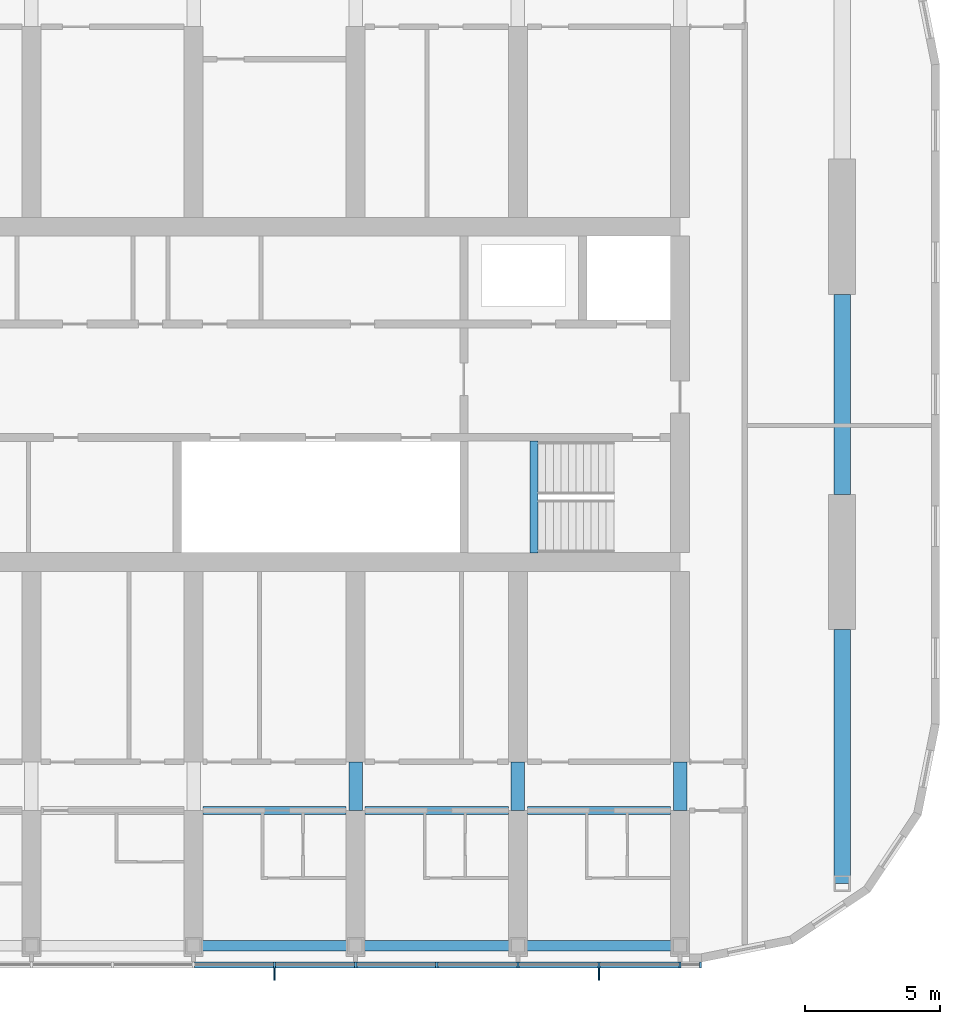
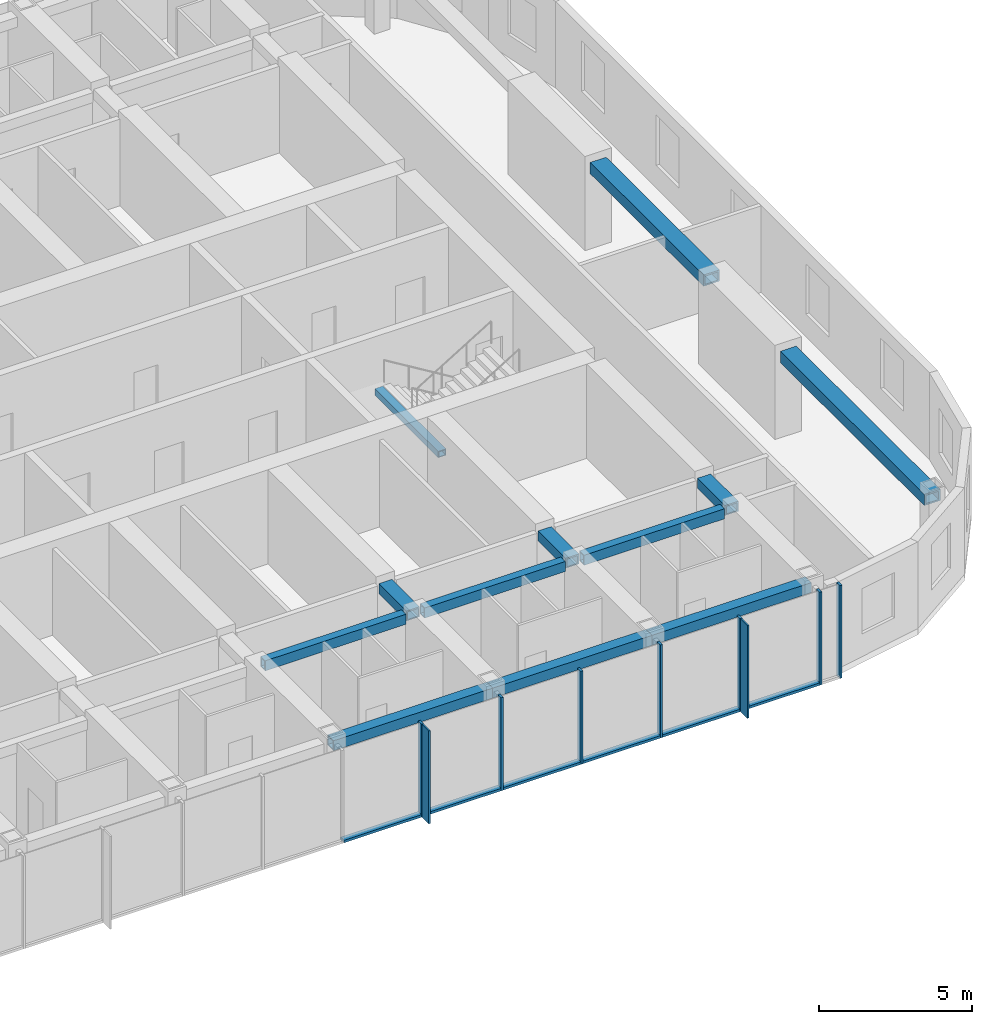
# One storey, part 3 of 23: 15 members, 12 beams, 1 element without a shape of its own.
"""IFC4 building model written with IfcOpenShell, lengths in metres."""

from ifc_helpers import new_model, si_unit, direction, frame, origin, origin_2d, place, context, subcontext, project, spatial, rectangle, hollow_rectangle, extrude, material, material_profile, profile_set, type_object, element, aggregate, save


model = new_model("IFC4")

# Units and contexts
model_context = context("Model", 3, precision=1e-05, world=origin(), true_north=direction((0.0, 1.0)))
body_context = subcontext(model_context, "Body", "Model", "MODEL_VIEW")
ifc_project = project(units=[si_unit("LENGTHUNIT", "METRE"), si_unit("AREAUNIT", "SQUARE_METRE"), si_unit("VOLUMEUNIT", "CUBIC_METRE"), si_unit("PLANEANGLEUNIT", "RADIAN"), si_unit("MASSUNIT", "GRAM", prefix="KILO")], contexts=[model_context])

# Site, building, storey
site_placement = place(None, origin())
site = spatial("IfcSite", under=ifc_project, at=site_placement, CompositionType="ELEMENT")
building_placement = place(site_placement, origin())
building = spatial("IfcBuilding", under=site, at=building_placement, Name="Orbita Commons", CompositionType="ELEMENT")
storey_placement = place(building_placement, frame((0.0, 0.0, 254.050048828125)))
storey = spatial("IfcBuildingStorey", under=building, at=storey_placement, Name="L63", CompositionType="ELEMENT", Elevation=254.050048828125)

# Curtain wall, members
ifc_material_1 = material(Name="Anodised aluminium frame, pale silver", Category="aluminium")
curtain_wall_type = type_object("IfcCurtainWallType", Name="Unitised curtain wall CW-U, full-height vision", PredefinedType="NOTDEFINED", material=ifc_material_1)
curtain_wall_placement = place(storey_placement, origin())
curtain_wall = element("IfcCurtainWall", 1, at=curtain_wall_placement, inside=storey, type_object=curtain_wall_type, Name="Curtain wall south L63", PredefinedType="NOTDEFINED")
ifc_material_2 = material(Name="Anodised aluminium, pale silver", Category="aluminium")
ifc_material_profile_1 = material_profile(ifc_material_2, rectangle(XDim=0.080078125, YDim=0.219970703125, at=origin_2d()), Name="AL 80x220")
ifc_profile_set_1 = profile_set([ifc_material_profile_1], Name="Anodised aluminium, pale silver")
member_type_1 = type_object("IfcMemberType", Name="Curtain wall mullion 80x220", PredefinedType="MULLION", material=ifc_profile_set_1)
member_1_placement = place(storey_placement, frame((51.0, 10.889892578125, -0.25), z_axis=(0.0, 0.0, 1.0), x_axis=(1.0, 0.0, 0.0)))
member_1 = element("IfcMember", 2, at=member_1_placement, type_object=member_type_1, Name="Mullion 13 CW-L63-S", PredefinedType="MULLION", context=body_context, shape_type="SweptSolid", body=[
    extrude(rectangle(XDim=0.080078125, YDim=0.219970703125, at=origin_2d()), origin(), (0.0, 0.0, 1.0), 3.699951171875),
])
member_2_placement = place(storey_placement, frame((54.0, 10.889892578125, -0.25), z_axis=(0.0, 0.0, 1.0), x_axis=(1.0, 0.0, 0.0)))
member_2 = element("IfcMember", 3, at=member_2_placement, type_object=member_type_1, Name="Mullion 14 CW-L63-S", PredefinedType="MULLION", context=body_context, shape_type="SweptSolid", body=[
    extrude(rectangle(XDim=0.080078125, YDim=0.219970703125, at=origin_2d()), origin(), (0.0, 0.0, 1.0), 3.699951171875),
])
member_3_placement = place(storey_placement, frame((57.0, 10.889892578125, -0.25), z_axis=(0.0, 0.0, 1.0), x_axis=(1.0, 0.0, 0.0)))
member_3 = element("IfcMember", 4, at=member_3_placement, type_object=member_type_1, Name="Mullion 15 CW-L63-S", PredefinedType="MULLION", context=body_context, shape_type="SweptSolid", body=[
    extrude(rectangle(XDim=0.080078125, YDim=0.219970703125, at=origin_2d()), origin(), (0.0, 0.0, 1.0), 3.699951171875),
])
member_4_placement = place(storey_placement, frame((60.0, 10.889892578125, -0.25), z_axis=(0.0, 0.0, 1.0), x_axis=(1.0, 0.0, 0.0)))
member_4 = element("IfcMember", 5, at=member_4_placement, type_object=member_type_1, Name="Mullion 16 CW-L63-S", PredefinedType="MULLION", context=body_context, shape_type="SweptSolid", body=[
    extrude(rectangle(XDim=0.080078125, YDim=0.219970703125, at=origin_2d()), origin(), (0.0, 0.0, 1.0), 3.699951171875),
])
member_5_placement = place(storey_placement, frame((63.0, 10.889892578125, -0.25), z_axis=(0.0, 0.0, 1.0), x_axis=(1.0, 0.0, 0.0)))
member_5 = element("IfcMember", 6, at=member_5_placement, type_object=member_type_1, Name="Mullion 17 CW-L63-S", PredefinedType="MULLION", context=body_context, shape_type="SweptSolid", body=[
    extrude(rectangle(XDim=0.080078125, YDim=0.219970703125, at=origin_2d()), origin(), (0.0, 0.0, 1.0), 3.699951171875),
])
member_6_placement = place(storey_placement, frame((66.0, 10.889892578125, -0.25), z_axis=(0.0, 0.0, 1.0), x_axis=(1.0, 0.0, 0.0)))
member_6 = element("IfcMember", 7, at=member_6_placement, type_object=member_type_1, Name="Mullion 18 CW-L63-S", PredefinedType="MULLION", context=body_context, shape_type="SweptSolid", body=[
    extrude(rectangle(XDim=0.080078125, YDim=0.219970703125, at=origin_2d()), origin(), (0.0, 0.0, 1.0), 3.699951171875),
])
member_7_placement = place(storey_placement, frame((66.760009765625, 10.889892578125, -0.25), z_axis=(0.0, 0.0, 1.0), x_axis=(1.0, 0.0, 0.0)))
member_7 = element("IfcMember", 8, at=member_7_placement, type_object=member_type_1, Name="Mullion 19 CW-L63-S", PredefinedType="MULLION", context=body_context, shape_type="SweptSolid", body=[
    extrude(rectangle(XDim=0.080078125, YDim=0.219970703125, at=origin_2d()), origin(), (0.0, 0.0, 1.0), 3.699951171875),
])
ifc_material_3 = material(Name="Anodised aluminium, pale silver", Category="aluminium")
ifc_material_profile_2 = material_profile(ifc_material_3, rectangle(XDim=0.219970703125, YDim=0.10009765625, at=origin_2d()), Name="AL 220x100")
ifc_profile_set_2 = profile_set([ifc_material_profile_2], Name="Anodised aluminium, pale silver")
member_type_2 = type_object("IfcMemberType", Name="Curtain wall stack transom 220x100", PredefinedType="USERDEFINED", material=ifc_profile_set_2)
member_8_placement = place(storey_placement, frame((48.0400390625, 10.889892578125, -0.199951171875), z_axis=(1.0, 0.0, 0.0), x_axis=(0.0, 1.0, 0.0)))
member_8 = element("IfcMember", 9, at=member_8_placement, type_object=member_type_2, Name="Transom 12.1 CW-L63-S", ObjectType="TRANSOM", PredefinedType="USERDEFINED", context=body_context, shape_type="SweptSolid", body=[
    extrude(rectangle(XDim=0.219970703125, YDim=0.10009765625, at=origin_2d()), origin(), (0.0, 0.0, 1.0), 2.919921875),
])
member_9_placement = place(storey_placement, frame((51.0400390625, 10.889892578125, -0.199951171875), z_axis=(1.0, 0.0, 0.0), x_axis=(0.0, 1.0, 0.0)))
member_9 = element("IfcMember", 10, at=member_9_placement, type_object=member_type_2, Name="Transom 13.1 CW-L63-S", ObjectType="TRANSOM", PredefinedType="USERDEFINED", context=body_context, shape_type="SweptSolid", body=[
    extrude(rectangle(XDim=0.219970703125, YDim=0.10009765625, at=origin_2d()), origin(), (0.0, 0.0, 1.0), 2.919921875),
])
member_10_placement = place(storey_placement, frame((54.0400390625, 10.889892578125, -0.199951171875), z_axis=(1.0, 0.0, 0.0), x_axis=(0.0, 1.0, 0.0)))
member_10 = element("IfcMember", 11, at=member_10_placement, type_object=member_type_2, Name="Transom 14.1 CW-L63-S", ObjectType="TRANSOM", PredefinedType="USERDEFINED", context=body_context, shape_type="SweptSolid", body=[
    extrude(rectangle(XDim=0.219970703125, YDim=0.10009765625, at=origin_2d()), origin(), (0.0, 0.0, 1.0), 2.919921875),
])
member_11_placement = place(storey_placement, frame((57.0400390625, 10.889892578125, -0.199951171875), z_axis=(1.0, 0.0, 0.0), x_axis=(0.0, 1.0, 0.0)))
member_11 = element("IfcMember", 12, at=member_11_placement, type_object=member_type_2, Name="Transom 15.1 CW-L63-S", ObjectType="TRANSOM", PredefinedType="USERDEFINED", context=body_context, shape_type="SweptSolid", body=[
    extrude(rectangle(XDim=0.219970703125, YDim=0.10009765625, at=origin_2d()), origin(), (0.0, 0.0, 1.0), 2.919921875),
])
member_12_placement = place(storey_placement, frame((60.0400390625, 10.889892578125, -0.199951171875), z_axis=(1.0, 0.0, 0.0), x_axis=(0.0, 1.0, 0.0)))
member_12 = element("IfcMember", 13, at=member_12_placement, type_object=member_type_2, Name="Transom 16.1 CW-L63-S", ObjectType="TRANSOM", PredefinedType="USERDEFINED", context=body_context, shape_type="SweptSolid", body=[
    extrude(rectangle(XDim=0.219970703125, YDim=0.10009765625, at=origin_2d()), origin(), (0.0, 0.0, 1.0), 2.919921875),
])
member_13_placement = place(storey_placement, frame((63.0400390625, 10.889892578125, -0.199951171875), z_axis=(1.0, 0.0, 0.0), x_axis=(0.0, 1.0, 0.0)))
member_13 = element("IfcMember", 14, at=member_13_placement, type_object=member_type_2, Name="Transom 17.1 CW-L63-S", ObjectType="TRANSOM", PredefinedType="USERDEFINED", context=body_context, shape_type="SweptSolid", body=[
    extrude(rectangle(XDim=0.219970703125, YDim=0.10009765625, at=origin_2d()), origin(), (0.0, 0.0, 1.0), 2.919921875),
])

# Beams
ifc_material_4 = material(Name="Steel ASTM A572 Gr 50 welded plate", Category="steel")
ifc_material_profile_3 = material_profile(ifc_material_4, hollow_rectangle(XDim=0.300048828125, YDim=0.25, WallThickness=0.02490234375, at=origin_2d()), Name="BOX 250x300x25")
ifc_profile_set_3 = profile_set([ifc_material_profile_3], Name="Steel ASTM A572 Gr 50 welded plate")
beam_type_1 = type_object("IfcBeamType", Name="Stair landing beam steel BOX 250x300x25", PredefinedType="BEAM", material=ifc_profile_set_3)
beam_1_placement = place(storey_placement, frame((60.60009765625, 26.135009765625, 1.550048828125), z_axis=(0.0, 1.0, 0.0), x_axis=(-1.0, 0.0, 0.0)))
element("IfcBeam", 15, at=beam_1_placement, inside=storey, type_object=beam_type_1, Name="Stair S2 landing beam L63 1", PredefinedType="BEAM", context=body_context, shape_type="SweptSolid", body=[
    extrude(hollow_rectangle(XDim=0.300048828125, YDim=0.25, WallThickness=0.02490234375, at=origin_2d()), origin(), (0.0, 0.0, 1.0), 4.1298828125),
])
ifc_material_5 = material(Name="Steel ASTM A572 Gr 50 welded plate", Category="steel")
ifc_material_profile_4 = material_profile(ifc_material_5, hollow_rectangle(XDim=0.300048828125, YDim=0.39990234375, WallThickness=0.0400390625, at=origin_2d()), Name="BOX 400x300x40")
ifc_profile_set_4 = profile_set([ifc_material_profile_4], Name="Steel ASTM A572 Gr 50 welded plate")
beam_type_2 = type_object("IfcBeamType", Name="Steel corridor link BOX 400x300x40", PredefinedType="BEAM", material=ifc_profile_set_4)
for number, where, z_axis, x_axis, name in (
    (16, (48.35009765625, 16.60009765625, 3.25), (1.0, 0.0, 0.0), (0.0, 1.0, 0.0), "Corridor beam SA 9-10 L63"),
    (17, (54.35009765625, 16.60009765625, 3.25), (1.0, 0.0, 0.0), (0.0, 1.0, 0.0), "Corridor beam SA 10-11 L63"),
    (18, (60.35009765625, 16.60009765625, 3.25), (1.0, 0.0, 0.0), (0.0, 1.0, 0.0), "Corridor beam SA 11-12 L63"),
):
    element("IfcBeam", number, at=place(storey_placement, frame(where, z_axis=z_axis, x_axis=x_axis)), inside=storey, type_object=beam_type_2, Name=name, PredefinedType="BEAM", context=body_context, shape_type="SweptSolid", body=[
        extrude(hollow_rectangle(XDim=0.300048828125, YDim=0.39990234375, WallThickness=0.0400390625, at=origin_2d()), origin(), (0.0, 0.0, 1.0), 5.2998046875),
    ])
ifc_material_6 = material(Name="Steel ASTM A572 Gr 50 welded plate", Category="steel")
ifc_material_profile_5 = material_profile(ifc_material_6, hollow_rectangle(XDim=0.5, YDim=0.39990234375, WallThickness=0.050048828125, at=origin_2d()), Name="BOX 400x500x50")
ifc_profile_set_5 = profile_set([ifc_material_profile_5], Name="Steel ASTM A572 Gr 50 welded plate")
beam_type_3 = type_object("IfcBeamType", Name="Steel coupling link BOX 400x500x50", PredefinedType="LINTEL", material=ifc_profile_set_5)
for number, where, z_axis, x_axis, name in (
    (19, (54.0, 16.60009765625, 3.25), (0.0, 1.0, 0.0), (-1.0, 0.0, 0.0), "Coupling beam 10 south L63"),
    (20, (60.0, 16.60009765625, 3.25), (0.0, 1.0, 0.0), (-1.0, 0.0, 0.0), "Coupling beam 11 south L63"),
    (21, (66.0, 16.60009765625, 3.25), (0.0, 1.0, 0.0), (-1.0, 0.0, 0.0), "Coupling beam 12 south L63"),
):
    element("IfcBeam", number, at=place(storey_placement, frame(where, z_axis=z_axis, x_axis=x_axis)), inside=storey, type_object=beam_type_3, Name=name, PredefinedType="LINTEL", context=body_context, shape_type="SweptSolid", body=[
        extrude(hollow_rectangle(XDim=0.5, YDim=0.39990234375, WallThickness=0.050048828125, at=origin_2d()), origin(), (0.0, 0.0, 1.0), 1.7998046875),
    ])
ifc_material_7 = material(Name="Steel ASTM A572 Gr 50 welded plate", Category="steel")
ifc_material_profile_6 = material_profile(ifc_material_7, hollow_rectangle(XDim=0.60009765625, YDim=0.449951171875, WallThickness=0.06005859375, at=origin_2d()), Name="BOX 450x600x60")
ifc_profile_set_6 = profile_set([ifc_material_profile_6], Name="Steel ASTM A572 Gr 50 welded plate")
beam_type_4 = type_object("IfcBeamType", Name="Steel end frame link BOX 450x600x60", PredefinedType="BEAM", material=ifc_profile_set_6)
beam_2_placement = place(storey_placement, frame((72.0, 13.89990234375, 3.224853515625), z_axis=(0.0, 1.0, 0.0), x_axis=(-1.0, 0.0, 0.0)))
element("IfcBeam", 22, at=beam_2_placement, inside=storey, type_object=beam_type_4, Name="End frame beam 13 B-C L63", PredefinedType="BEAM", context=body_context, shape_type="SweptSolid", body=[
    extrude(hollow_rectangle(XDim=0.60009765625, YDim=0.449951171875, WallThickness=0.06005859375, at=origin_2d()), origin(), (0.0, 0.0, 1.0), 9.400146484375),
])
beam_3_placement = place(storey_placement, frame((72.0, 28.300048828125, 3.224853515625), z_axis=(0.0, 1.0, 0.0), x_axis=(-1.0, 0.0, 0.0)))
element("IfcBeam", 23, at=beam_3_placement, inside=storey, type_object=beam_type_4, Name="End frame beam 13 C-D L63", PredefinedType="BEAM", context=body_context, shape_type="SweptSolid", body=[
    extrude(hollow_rectangle(XDim=0.60009765625, YDim=0.449951171875, WallThickness=0.06005859375, at=origin_2d()), origin(), (0.0, 0.0, 1.0), 7.39990234375),
])
ifc_material_8 = material(Name="Steel ASTM A572 Gr 50 welded plate", Category="steel")
ifc_material_profile_7 = material_profile(ifc_material_8, hollow_rectangle(XDim=0.39990234375, YDim=0.39990234375, WallThickness=0.0400390625, at=origin_2d()), Name="BOX 400x400x40")
ifc_profile_set_7 = profile_set([ifc_material_profile_7], Name="Steel ASTM A572 Gr 50 welded plate")
beam_type_5 = type_object("IfcBeamType", Name="Steel spandrel BOX 400x400x40", PredefinedType="SPANDREL", material=ifc_profile_set_7)
for number, where, z_axis, x_axis, name in (
    (24, (48.0, 11.60009765625, 3.25), (1.0, 0.0, 0.0), (0.0, 1.0, 0.0), "Spandrel beam B 9-10 L63"),
    (25, (54.0, 11.60009765625, 3.25), (1.0, 0.0, 0.0), (0.0, 1.0, 0.0), "Spandrel beam B 10-11 L63"),
    (26, (60.0, 11.60009765625, 3.25), (1.0, 0.0, 0.0), (0.0, 1.0, 0.0), "Spandrel beam B 11-12 L63"),
):
    element("IfcBeam", number, at=place(storey_placement, frame(where, z_axis=z_axis, x_axis=x_axis)), inside=storey, type_object=beam_type_5, Name=name, PredefinedType="SPANDREL", context=body_context, shape_type="SweptSolid", body=[
        extrude(hollow_rectangle(XDim=0.39990234375, YDim=0.39990234375, WallThickness=0.0400390625, at=origin_2d()), origin(), (0.0, 0.0, 1.0), 6.0),
    ])

# Member
ifc_material_9 = material(Name="Anodised aluminium, pale silver", Category="aluminium")
ifc_material_profile_8 = material_profile(ifc_material_9, rectangle(XDim=0.06005859375, YDim=0.449951171875, at=origin_2d()), Name="FIN 60x450")
ifc_profile_set_8 = profile_set([ifc_material_profile_8], Name="Anodised aluminium, pale silver")
member_type_3 = type_object("IfcMemberType", Name="Vertical fin 60x450 pale aluminium", PredefinedType="USERDEFINED", material=ifc_profile_set_8)
member_14_placement = place(storey_placement, frame((51.0, 10.554931640625, -0.25), z_axis=(0.0, 0.0, 1.0), x_axis=(1.0, 0.0, 0.0)))
member_14 = element("IfcMember", 27, at=member_14_placement, type_object=member_type_3, Name="Fin 13 CW-L63-S", ObjectType="FIN", PredefinedType="USERDEFINED", context=body_context, shape_type="SweptSolid", body=[
    extrude(rectangle(XDim=0.06005859375, YDim=0.449951171875, at=origin_2d()), origin(), (0.0, 0.0, 1.0), 3.699951171875),
])

member_15_placement = place(storey_placement, frame((63.0, 10.554931640625, -0.25), z_axis=(0.0, 0.0, 1.0), x_axis=(1.0, 0.0, 0.0)))
member_15 = element("IfcMember", 28, at=member_15_placement, type_object=member_type_3, Name="Fin 17 CW-L63-S", ObjectType="FIN", PredefinedType="USERDEFINED", context=body_context, shape_type="SweptSolid", body=[
    extrude(rectangle(XDim=0.06005859375, YDim=0.449951171875, at=origin_2d()), origin(), (0.0, 0.0, 1.0), 3.699951171875),
])

aggregate(curtain_wall, [member_1, member_14, member_2, member_3, member_4, member_5, member_15, member_6, member_7, member_8, member_9, member_10, member_11, member_12, member_13])

save(model, "model.ifc")
